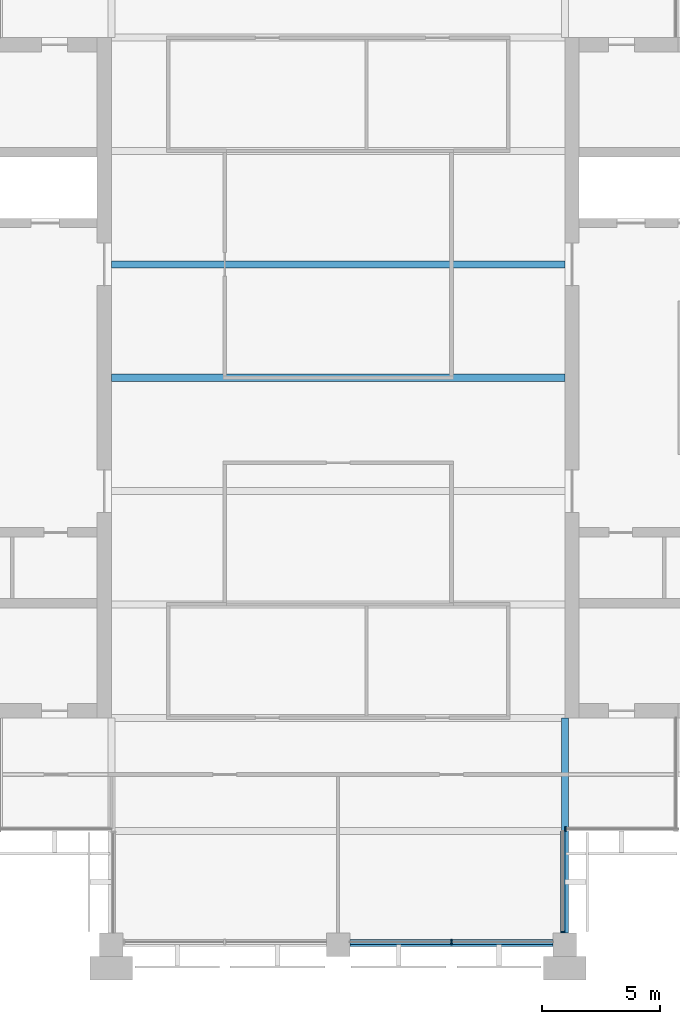
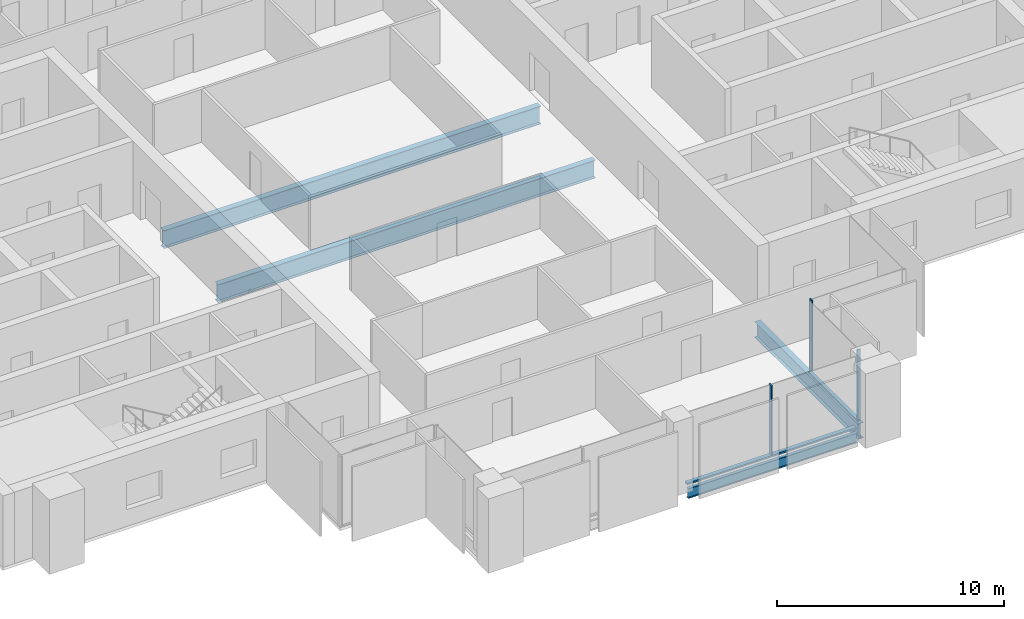
# One storey, part 3 of 13: 5 members, 4 beams, 3 elements without a shape of their own.
"""IFC4 building model written with IfcOpenShell, lengths in metres."""

from ifc_helpers import new_model, si_unit, direction, frame, origin, origin_2d, place, context, subcontext, project, spatial, rectangle, i_section, extrude, material, material_profile, profile_set, type_object, element, aggregate, save


model = new_model("IFC4")

# Units and contexts
model_context = context("Model", 3, precision=1e-05, world=origin(), true_north=direction((0.0, 1.0)))
body_context = subcontext(model_context, "Body", "Model", "MODEL_VIEW")
ifc_project = project(units=[si_unit("LENGTHUNIT", "METRE"), si_unit("AREAUNIT", "SQUARE_METRE"), si_unit("VOLUMEUNIT", "CUBIC_METRE"), si_unit("PLANEANGLEUNIT", "RADIAN"), si_unit("MASSUNIT", "GRAM", prefix="KILO")], contexts=[model_context])

# Site, building, storey
site_placement = place(None, origin())
site = spatial("IfcSite", under=ifc_project, at=site_placement, CompositionType="ELEMENT")
building_placement = place(site_placement, origin())
building = spatial("IfcBuilding", under=site, at=building_placement, Name="Baori Bourse Tower", CompositionType="ELEMENT")
storey_placement = place(building_placement, frame((0.0, 0.0, 346.300048828125)))
storey = spatial("IfcBuildingStorey", under=building, at=storey_placement, Name="L77", CompositionType="ELEMENT", Elevation=346.300048828125)

# Curtain wall, member
ifc_material_1 = material(Name="Pale anodised aluminium", Category="aluminium")
curtain_wall_type_1 = type_object("IfcCurtainWallType", Name="CW2 Curtain wall", PredefinedType="NOTDEFINED", material=ifc_material_1)
curtain_wall_1_placement = place(storey_placement, origin())
curtain_wall_1 = element("IfcCurtainWall", 1, at=curtain_wall_1_placement, inside=storey, type_object=curtain_wall_type_1, Name="Curtain wall CW2 L77 12", PredefinedType="NOTDEFINED")
ifc_material_2 = material(Name="Pale anodised aluminium", Category="aluminium")
ifc_material_profile_1 = material_profile(ifc_material_2, rectangle(XDim=0.179931640625, YDim=0.054931640625, at=origin_2d()), Name="Mullion 55x180")
ifc_profile_set_1 = profile_set([ifc_material_profile_1], Name="Pale anodised aluminium")
member_type_1 = type_object("IfcMemberType", Name="CW2 Curtain wall mullion", PredefinedType="MULLION", material=ifc_profile_set_1)
member_1_placement = place(storey_placement, frame((38.31005859375, 0.527587890625, 0.070068359375), z_axis=(0.0, 0.0, 1.0), x_axis=(-1.0, 0.0, 0.0)))
member_1 = element("IfcMember", 2, at=member_1_placement, type_object=member_type_1, Name="Curtain wall CW2 mullion", PredefinedType="MULLION", context=body_context, shape_type="SweptSolid", body=[
    extrude(rectangle(XDim=0.179931640625, YDim=0.054931640625, at=origin_2d()), origin(), (0.0, 0.0, 1.0), 3.769775390625),
])

curtain_wall_2_placement = place(storey_placement, origin())
curtain_wall_2 = element("IfcCurtainWall", 3, at=curtain_wall_2_placement, inside=storey, type_object=curtain_wall_type_1, Name="Curtain wall CW2 L77 13", PredefinedType="NOTDEFINED")
member_2_placement = place(storey_placement, frame((38.427490234375, 4.889892578125, 0.070068359375), z_axis=(0.0, 0.0, 1.0), x_axis=(0.0, 1.0, 0.0)))
member_2 = element("IfcMember", 4, at=member_2_placement, type_object=member_type_1, Name="Curtain wall CW2 mullion", PredefinedType="MULLION", context=body_context, shape_type="SweptSolid", body=[
    extrude(rectangle(XDim=0.179931640625, YDim=0.054931640625, at=origin_2d()), origin(), (0.0, 0.0, 1.0), 3.769775390625),
])
aggregate(curtain_wall_2, [member_2])

# Member
ifc_material_3 = material(Name="Pale anodised aluminium", Category="aluminium")
ifc_material_profile_2 = material_profile(ifc_material_3, rectangle(XDim=0.179931640625, YDim=0.070068359375, at=origin_2d()), Name="Transom 70x180")
ifc_profile_set_2 = profile_set([ifc_material_profile_2], Name="Pale anodised aluminium")
member_type_2 = type_object("IfcMemberType", Name="CW2 Curtain wall transom", PredefinedType="USERDEFINED", material=ifc_profile_set_2)
member_3_placement = place(storey_placement, frame((38.31005859375, 0.5, 0.034912109375), z_axis=(0.0, 1.0, 0.0), x_axis=(-1.0, 0.0, 0.0)))
member_3 = element("IfcMember", 5, at=member_3_placement, type_object=member_type_2, Name="Curtain wall CW2 sill rail", ObjectType="TRANSOM", PredefinedType="USERDEFINED", context=body_context, shape_type="SweptSolid", body=[
    extrude(rectangle(XDim=0.179931640625, YDim=0.070068359375, at=origin_2d()), origin(), (0.0, 0.0, 1.0), 4.300048828125),
])

aggregate(curtain_wall_1, [member_3, member_1])

# Curtain wall, members
ifc_material_4 = material(Name="Pale anodised aluminium", Category="aluminium")
curtain_wall_type_2 = type_object("IfcCurtainWallType", Name="CW5 Curtain wall", PredefinedType="NOTDEFINED", material=ifc_material_4)
curtain_wall_3_placement = place(storey_placement, origin())
curtain_wall_3 = element("IfcCurtainWall", 6, at=curtain_wall_3_placement, inside=storey, type_object=curtain_wall_type_2, Name="Curtain wall CW5 L77 11", PredefinedType="NOTDEFINED")
ifc_material_5 = material(Name="Pale anodised aluminium", Category="aluminium")
ifc_material_profile_3 = material_profile(ifc_material_5, rectangle(XDim=0.219970703125, YDim=0.06494140625, at=origin_2d()), Name="Mullion 65x220")
ifc_profile_set_3 = profile_set([ifc_material_profile_3], Name="Pale anodised aluminium")
member_type_3 = type_object("IfcMemberType", Name="CW5 Curtain wall mullion", PredefinedType="MULLION", material=ifc_profile_set_3)
member_4_placement = place(storey_placement, frame((33.60009765625, 0.110107421875, 0.0849609375), z_axis=(0.0, 0.0, 1.0), x_axis=(0.0, 1.0, 0.0)))
member_4 = element("IfcMember", 7, at=member_4_placement, type_object=member_type_3, Name="Curtain wall CW5 mullion", PredefinedType="MULLION", context=body_context, shape_type="SweptSolid", body=[
    extrude(rectangle(XDim=0.219970703125, YDim=0.06494140625, at=origin_2d()), origin(), (0.0, 0.0, 1.0), 3.7548828125),
])
ifc_material_6 = material(Name="Pale anodised aluminium", Category="aluminium")
ifc_material_profile_4 = material_profile(ifc_material_6, rectangle(XDim=0.219970703125, YDim=0.0849609375, at=origin_2d()), Name="Transom 85x220")
ifc_profile_set_4 = profile_set([ifc_material_profile_4], Name="Pale anodised aluminium")
member_type_4 = type_object("IfcMemberType", Name="CW5 Curtain wall transom", PredefinedType="USERDEFINED", material=ifc_profile_set_4)
member_5_placement = place(storey_placement, frame((29.300048828125, 0.110107421875, 0.04248046875), z_axis=(1.0, 0.0, 0.0), x_axis=(0.0, 1.0, 0.0)))
member_5 = element("IfcMember", 8, at=member_5_placement, type_object=member_type_4, Name="Curtain wall CW5 sill rail", ObjectType="TRANSOM", PredefinedType="USERDEFINED", context=body_context, shape_type="SweptSolid", body=[
    extrude(rectangle(XDim=0.219970703125, YDim=0.0849609375, at=origin_2d()), origin(), (0.0, 0.0, 1.0), 8.599853515625),
])
aggregate(curtain_wall_3, [member_5, member_4])

# Beams
ifc_material_7 = material(Name="Steel A992 Gr 50", Category="steel")
ifc_material_profile_5 = material_profile(ifc_material_7, i_section(OverallWidth=0.1650390625, OverallDepth=0.52587890625, WebThickness=0.0087890625, FlangeThickness=0.011474609375, at=origin_2d()), Name="W21x44")
ifc_profile_set_5 = profile_set([ifc_material_profile_5], Name="Steel A992 Gr 50")
beam_type_1 = type_object("IfcBeamType", Name="Edge beam W21x44", PredefinedType="BEAM", material=ifc_profile_set_5)
beam_1_placement = place(storey_placement, frame((29.300048828125, 0.0, -0.4228515625), z_axis=(1.0, 0.0, 0.0), x_axis=(0.0, 1.0, 0.0)))
element("IfcBeam", 9, at=beam_1_placement, inside=storey, type_object=beam_type_1, Name="Edge beam L77", PredefinedType="BEAM", context=body_context, shape_type="SweptSolid", body=[
    extrude(i_section(OverallWidth=0.1650390625, OverallDepth=0.52587890625, WebThickness=0.0087890625, FlangeThickness=0.011474609375, at=origin_2d()), origin(), (0.0, 0.0, 1.0), 8.599853515625),
])
ifc_material_8 = material(Name="Steel A992 Gr 50", Category="steel")
ifc_material_profile_6 = material_profile(ifc_material_8, i_section(OverallWidth=0.2998046875, OverallDepth=0.97021484375, WebThickness=0.01611328125, FlangeThickness=0.02099609375, at=origin_2d()), Name="W40x149")
ifc_profile_set_6 = profile_set([ifc_material_profile_6], Name="Steel A992 Gr 50")
beam_type_2 = type_object("IfcBeamType", Name="Floor beam W40x149", PredefinedType="BEAM", material=ifc_profile_set_6)
for number, where, z_axis, x_axis, name in (
    (10, (19.199951171875, 24.0, -0.645263671875), (1.0, 0.0, 0.0), (0.0, 1.0, 0.0), "Floor beam L77"),
    (11, (19.199951171875, 28.800048828125, -0.645263671875), (1.0, 0.0, 0.0), (0.0, 1.0, 0.0), "Floor beam L77"),
):
    element("IfcBeam", number, at=place(storey_placement, frame(where, z_axis=z_axis, x_axis=x_axis)), inside=storey, type_object=beam_type_2, Name=name, PredefinedType="BEAM", context=body_context, shape_type="SweptSolid", body=[
        extrude(i_section(OverallWidth=0.2998046875, OverallDepth=0.97021484375, WebThickness=0.01611328125, FlangeThickness=0.02099609375, at=origin_2d()), origin(), (0.0, 0.0, 1.0), 19.199951171875),
    ])
ifc_material_9 = material(Name="Steel A992 Gr 50", Category="steel")
ifc_material_profile_7 = material_profile(ifc_material_9, i_section(OverallWidth=0.2919921875, OverallDepth=0.835693359375, WebThickness=0.013916015625, FlangeThickness=0.018798828125, at=origin_2d()), Name="W33x118")
ifc_profile_set_7 = profile_set([ifc_material_profile_7], Name="Steel A992 Gr 50")
beam_type_3 = type_object("IfcBeamType", Name="Girder W33x118", PredefinedType="BEAM", material=ifc_profile_set_7)
beam_2_placement = place(storey_placement, frame((38.39990234375, 0.5, -0.577880859375), z_axis=(0.0, 1.0, 0.0), x_axis=(-1.0, 0.0, 0.0)))
element("IfcBeam", 12, at=beam_2_placement, inside=storey, type_object=beam_type_3, Name="Girder L77", PredefinedType="BEAM", context=body_context, shape_type="SweptSolid", body=[
    extrude(i_section(OverallWidth=0.2919921875, OverallDepth=0.835693359375, WebThickness=0.013916015625, FlangeThickness=0.018798828125, at=origin_2d()), origin(), (0.0, 0.0, 1.0), 9.10009765625),
])

save(model, "model.ifc")
